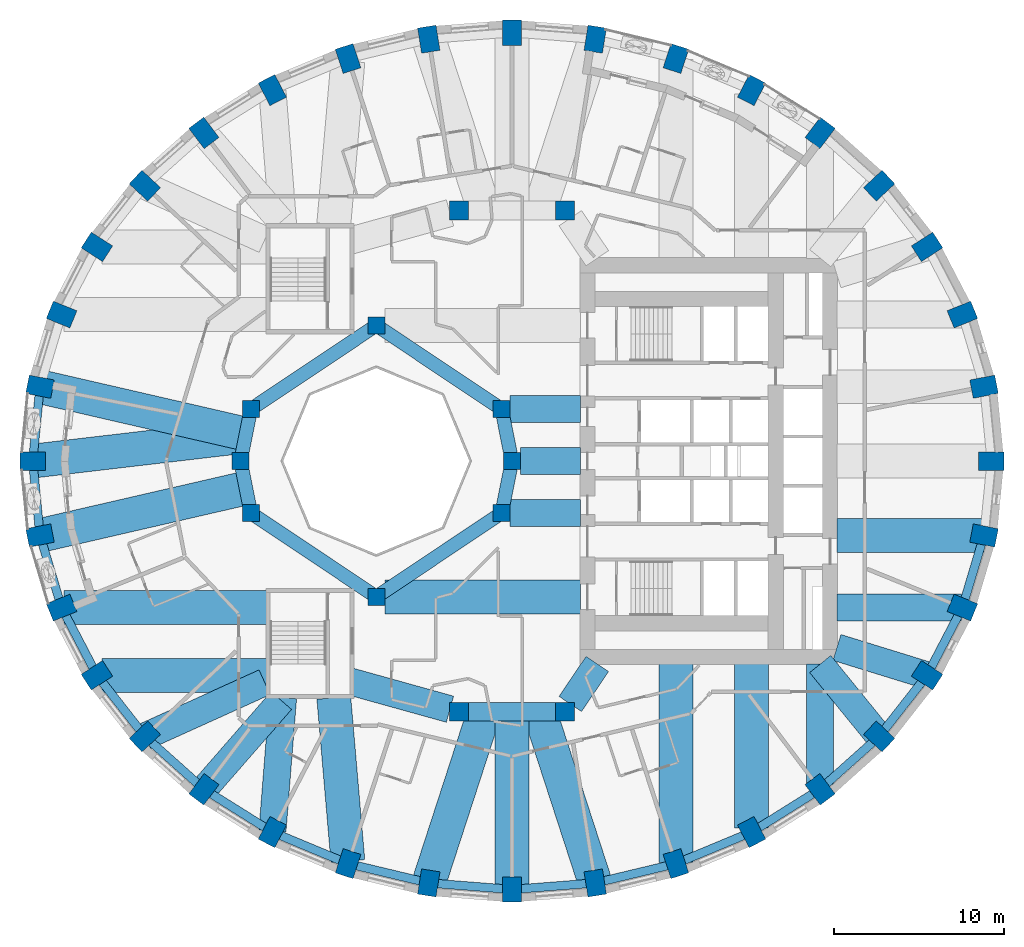
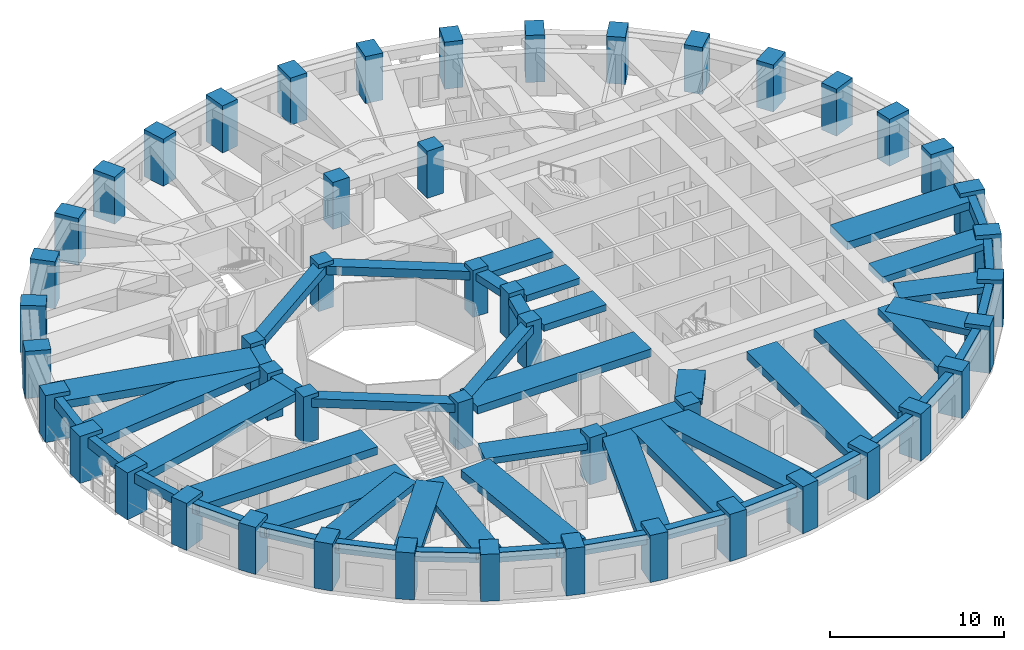
# One storey, part 1 of 14: 52 beams, 48 columns.
"""IFC4 building model written with IfcOpenShell, lengths in metres."""

import ifcopenshell
import ifcopenshell.guid

model = None  # the IFC model being written
_history = None  # IfcOwnerHistory: only IFC2X3 demands one
_inside = {}  # id of a spatial element -> (the spatial element, [elements in it])
_under = {}  # id of a project, library or spatial element -> (it, [spatial elements below it])
_declared = {}  # id of a project -> (the project, [libraries it declares])
_typed = {}  # id of a type object -> (the type object, [elements of that type])
_made_of = {}  # id of a material, layer set ... -> (it, [elements and type objects made of it])


def new_model(schema):
    """Start an empty IFC model of exactly this schema.

    Asked for "IFC4X3", IfcOpenShell would pick the latest addendum, in which some entities
    have other attributes; the version numbers below select the first issue.
    IFC2X3 requires an IfcOwnerHistory on every rooted entity: one is made here for all.
    """
    global model, _history
    if schema == "IFC4X3":
        model = ifcopenshell.file(schema_version=(4, 3, 0, 0))
    else:
        model = ifcopenshell.file(schema=schema)
    _inside.clear()
    _under.clear()
    _declared.clear()
    _typed.clear()
    _made_of.clear()
    _history = None
    if model.schema == "IFC2X3":
        org = make("IfcOrganization", Name="unknown")
        user = make(
            "IfcPersonAndOrganization",
            ThePerson=make("IfcPerson", FamilyName="unknown"),
            TheOrganization=org,
        )
        app = make(
            "IfcApplication",
            ApplicationDeveloper=org,
            Version="unknown",
            ApplicationFullName="unknown",
            ApplicationIdentifier="unknown",
        )
        _history = make(
            "IfcOwnerHistory",
            OwningUser=user,
            OwningApplication=app,
            ChangeAction="ADDED",
            CreationDate=0,
        )
    return model


def make(cls, **values):
    """One entity of the class cls with the attributes given. An attribute that is None is left unset."""
    return model.create_entity(
        cls, **{name: value for name, value in values.items() if value is not None}
    )


def rooted(cls, **values):
    """An entity with a GlobalId (a new one), such as an element, a storey or a relation."""
    return make(cls, GlobalId=ifcopenshell.guid.new(), OwnerHistory=_history, **values)


def si_unit(unit_type, name, prefix=None):
    """IfcSIUnit, for example si_unit("LENGTHUNIT", "METRE", prefix="MILLI")."""
    return make("IfcSIUnit", UnitType=unit_type, Prefix=prefix, Name=name)


def assignment(units):
    """IfcUnitAssignment: the units of a project."""
    return None if units is None else make("IfcUnitAssignment", Units=units)


def point(xyz):
    """IfcCartesianPoint."""
    return None if xyz is None else make("IfcCartesianPoint", Coordinates=xyz)


def direction(xyz):
    """IfcDirection."""
    return None if xyz is None else make("IfcDirection", DirectionRatios=xyz)


def frame(location, z_axis=None, x_axis=None):
    """IfcAxis2Placement3D, a coordinate frame: its origin and axes. An axis left out is left unset."""
    return make(
        "IfcAxis2Placement3D",
        Location=point(location),
        Axis=direction(z_axis),
        RefDirection=direction(x_axis),
    )


def frame_2d(location, x_axis=None):
    """IfcAxis2Placement2D, a coordinate frame in the plane: its origin and x axis."""
    return make(
        "IfcAxis2Placement2D", Location=point(location), RefDirection=direction(x_axis)
    )


def origin():
    """The frame at (0, 0, 0) with its axes left unset."""
    return frame((0.0, 0.0, 0.0))


def origin_2d():
    """The frame at (0, 0) in the plane with its x axis left unset."""
    return frame_2d((0.0, 0.0))


def place(relative_to, where):
    """IfcLocalPlacement: puts the frame where relative to a parent placement (None: the world)."""
    return make(
        "IfcLocalPlacement", PlacementRelTo=relative_to, RelativePlacement=where
    )


def context(
    kind, dimensions, precision=None, world=None, true_north=None, identifier=None
):
    """IfcGeometricRepresentationContext, for example the 3D "Model" context."""
    return make(
        "IfcGeometricRepresentationContext",
        ContextIdentifier=identifier,
        ContextType=kind,
        CoordinateSpaceDimension=dimensions,
        Precision=precision,
        WorldCoordinateSystem=world,
        TrueNorth=true_north,
    )


def subcontext(parent, identifier, kind, view, scale=None):
    """IfcGeometricRepresentationSubContext, for example "Body" below "Model"."""
    return make(
        "IfcGeometricRepresentationSubContext",
        ContextIdentifier=identifier,
        ContextType=kind,
        ParentContext=parent,
        TargetScale=scale,
        TargetView=view,
    )


def project(units=None, contexts=None):
    """IfcProject with its units and contexts."""
    return rooted(
        "IfcProject",
        Name="project",
        RepresentationContexts=contexts,
        UnitsInContext=assignment(units),
    )


def spatial(cls, under=None, at=None, **own):
    """A site, building, storey or space (cls), placed at a placement, below another one or the project."""
    s = rooted(cls, ObjectPlacement=at, **own)
    if under is not None:
        _under.setdefault(under.id(), (under, []))[1].append(s)
    return s


def profile(cls, at=None, kind="AREA", **sizes):
    """A parametric profile (cls). Its sizes go by their IFC names, for example OverallWidth=200.0."""
    return make(cls, ProfileType=kind, Position=at, **sizes)


def rectangle(**sizes):
    """IfcRectangleProfileDef."""
    return profile("IfcRectangleProfileDef", **sizes)


def extrude(swept, where, along, depth):
    """IfcExtrudedAreaSolid: the profile swept, set in the frame where, extruded along a direction by depth."""
    return make(
        "IfcExtrudedAreaSolid",
        SweptArea=swept,
        Position=where,
        ExtrudedDirection=direction(along),
        Depth=depth,
    )


def shape(context_of_items, identifier, shape_type, items):
    """IfcShapeRepresentation: the items that make up one representation, for example the "Body"."""
    return make(
        "IfcShapeRepresentation",
        ContextOfItems=context_of_items,
        RepresentationIdentifier=identifier,
        RepresentationType=shape_type,
        Items=items,
    )


def material(Name=None, Category=None):
    """IfcMaterial."""
    return make("IfcMaterial", Name=Name, Category=Category)


def material_profile(
    of_material, cross_section, Name=None, Category=None, Priority=None
):
    """IfcMaterialProfile: a cross section and its material."""
    return make(
        "IfcMaterialProfile",
        Name=Name,
        Material=of_material,
        Profile=cross_section,
        Priority=Priority,
        Category=Category,
    )


def profile_set(profiles, Name=None, composite=None):
    """IfcMaterialProfileSet."""
    return make(
        "IfcMaterialProfileSet",
        Name=Name,
        MaterialProfiles=profiles,
        CompositeProfile=composite,
    )


def made_of(thing, what):
    """Note that an element or type object is made of a material, layer set ...; save() writes the relation."""
    if what is not None:
        _made_of.setdefault(what.id(), (what, []))[1].append(thing)
    return thing


def type_object(cls, material=None, **own):
    """A type object (cls), such as IfcWallType, which elements share."""
    return made_of(rooted(cls, **own), material)


def element(
    cls,
    number,
    at=None,
    inside=None,
    cuts=None,
    type_object=None,
    material=None,
    context=None,
    identifier="Body",
    shape_type=None,
    held_by="IfcProductDefinitionShape",
    body=None,
    shapes=None,
    **own,
):
    """One element of the class cls, such as IfcWall. Its Tag is "e" and its number.

    at: its placement. inside: the storey or other place that contains it. cuts: it is an
    opening in that element (IfcRelVoidsElement). A single representation is given by context,
    identifier, shape_type and body (its items); several are given by shapes. held_by: the class
    of the entity that holds the representations. save() writes the other relations.
    """
    e = rooted(cls, Tag="e%d" % number, ObjectPlacement=at, **own)
    if body is not None:
        shapes = [shape(context, identifier, shape_type, body)]
    if shapes is not None:
        e.Representation = make(held_by, Representations=shapes)
    if inside is not None:
        _inside.setdefault(inside.id(), (inside, []))[1].append(e)
    if cuts is not None:
        rooted(
            "IfcRelVoidsElement", RelatingBuildingElement=cuts, RelatedOpeningElement=e
        )
    if type_object is not None:
        _typed.setdefault(type_object.id(), (type_object, []))[1].append(e)
    return made_of(e, material)


def aggregate(whole, parts):
    """IfcRelAggregates: a whole, such as a stair, and the parts it consists of."""
    return rooted("IfcRelAggregates", RelatingObject=whole, RelatedObjects=parts)


def save(model, path):
    """Write the relations noted so far, then the file.

    IfcRelAggregates (storeys below a building ...), IfcRelContainedInSpatialStructure (elements
    in a storey), IfcRelDefinesByType, IfcRelAssociatesMaterial and IfcRelDeclares: one each for
    every whole, place, type object, material and project.
    """
    for whole, parts in _under.values():
        aggregate(whole, parts)
    for where, things in _inside.values():
        rooted(
            "IfcRelContainedInSpatialStructure",
            RelatedElements=things,
            RelatingStructure=where,
        )
    for kind, things in _typed.values():
        rooted("IfcRelDefinesByType", RelatedObjects=things, RelatingType=kind)
    for what, things in _made_of.values():
        rooted("IfcRelAssociatesMaterial", RelatedObjects=things, RelatingMaterial=what)
    for by, libraries in _declared.values():
        rooted("IfcRelDeclares", RelatingContext=by, RelatedDefinitions=libraries)
    model.write(path)


model = new_model("IFC4")

# Units and contexts
model_context = context("Model", 3, precision=1e-05, world=origin(), true_north=direction((0.0, 1.0)))
body_context = subcontext(model_context, "Body", "Model", "MODEL_VIEW")
ifc_project = project(units=[si_unit("LENGTHUNIT", "METRE"), si_unit("AREAUNIT", "SQUARE_METRE"), si_unit("VOLUMEUNIT", "CUBIC_METRE"), si_unit("PLANEANGLEUNIT", "RADIAN"), si_unit("MASSUNIT", "GRAM", prefix="KILO")], contexts=[model_context])

# Site, building, storey
site_placement = place(None, origin())
site = spatial("IfcSite", under=ifc_project, at=site_placement, CompositionType="ELEMENT")
building_placement = place(site_placement, origin())
building = spatial("IfcBuilding", under=site, at=building_placement, Name="Taillehof Tower", CompositionType="ELEMENT")
storey_placement = place(building_placement, frame((0.0, 0.0, 28.300048828125)))
storey = spatial("IfcBuildingStorey", under=building, at=storey_placement, Name="L06", CompositionType="ELEMENT", Elevation=28.300048828125)

# Columns
ifc_material_1 = material(Name="Concrete C50/60", Category="concrete")
ifc_material_profile_1 = material_profile(ifc_material_1, rectangle(XDim=1.0, YDim=1.0, at=origin_2d()), Name="RC 1000x1000")
ifc_profile_set_1 = profile_set([ifc_material_profile_1], Name="Concrete C50/60")
column_type_1 = type_object("IfcColumnType", Name="Atrium ring column C50/60 1000x1000", PredefinedType="COLUMN", material=ifc_profile_set_1)
for number, where, z_axis, x_axis, name in (
    (1, (0.0, 0.0, 0.0), (0.0, 0.0, 1.0), (1.0, 0.0, 0.0), "Column AC01"),
    (2, (-8.0, 8.0, 0.0), (0.0, 0.0, 1.0), (1.0, 0.0, 0.0), "Column AC05"),
    (3, (-15.39111328125, 3.0615234375, 0.0), (0.0, 0.0, 1.0), (1.0, 0.0, 0.0), "Column AC08"),
    (4, (-16.0, 0.0, 0.0), (0.0, 0.0, 1.0), (1.0, 0.0, 0.0), "Column AC09"),
    (5, (-15.39111328125, -3.0615234375, 0.0), (0.0, 0.0, 1.0), (1.0, 0.0, 0.0), "Column AC10"),
    (6, (-8.0, -8.0, 0.0), (0.0, 0.0, 1.0), (1.0, 0.0, 0.0), "Column AC13"),
):
    element("IfcColumn", number, at=place(storey_placement, frame(where, z_axis=z_axis, x_axis=x_axis)), inside=storey, type_object=column_type_1, Name=name, PredefinedType="COLUMN", context=body_context, shape_type="SweptSolid", body=[
        extrude(rectangle(XDim=1.0, YDim=1.0, at=origin_2d()), origin(), (0.0, 0.0, 1.0), 3.300048828125),
    ])
ifc_material_2 = material(Name="Concrete C60/75", Category="concrete")
ifc_material_profile_2 = material_profile(ifc_material_2, rectangle(XDim=1.0, YDim=1.0, at=origin_2d()), Name="RC 1000x1000")
ifc_profile_set_2 = profile_set([ifc_material_profile_2], Name="Concrete C60/75")
column_type_2 = type_object("IfcColumnType", Name="Atrium ring column C60/75 1000x1000", PredefinedType="COLUMN", material=ifc_profile_set_2)
for number, where, z_axis, x_axis, name in (
    (7, (-0.60888671875, 3.0615234375, 0.0), (0.0, 0.0, 1.0), (1.0, 0.0, 0.0), "Column AC02"),
    (8, (-0.60888671875, -3.0615234375, 0.0), (0.0, 0.0, 1.0), (1.0, 0.0, 0.0), "Column AC16"),
):
    element("IfcColumn", number, at=place(storey_placement, frame(where, z_axis=z_axis, x_axis=x_axis)), inside=storey, type_object=column_type_2, Name=name, PredefinedType="COLUMN", context=body_context, shape_type="SweptSolid", body=[
        extrude(rectangle(XDim=1.0, YDim=1.0, at=origin_2d()), origin(), (0.0, 0.0, 1.0), 3.300048828125),
    ])
ifc_material_3 = material(Name="Concrete C60/75", Category="concrete")
ifc_material_profile_3 = material_profile(ifc_material_3, rectangle(XDim=1.10009765625, YDim=1.10009765625, at=origin_2d()), Name="RC 1100x1100")
ifc_profile_set_3 = profile_set([ifc_material_profile_3], Name="Concrete C60/75")
column_type_3 = type_object("IfcColumnType", Name="Mid-ring column C60/75 1100x1100", PredefinedType="COLUMN", material=ifc_profile_set_3)
for number, where, z_axis, x_axis, name in (
    (9, (3.125732421875, 14.772216796875, 0.0), (0.0, 0.0, 1.0), (1.0, 0.0, 0.0), "Column MC05"),
    (10, (3.125732421875, -14.772216796875, 0.0), (0.0, 0.0, 1.0), (1.0, 0.0, 0.0), "Column MC15"),
):
    element("IfcColumn", number, at=place(storey_placement, frame(where, z_axis=z_axis, x_axis=x_axis)), inside=storey, type_object=column_type_3, Name=name, PredefinedType="COLUMN", context=body_context, shape_type="SweptSolid", body=[
        extrude(rectangle(XDim=1.10009765625, YDim=1.10009765625, at=origin_2d()), origin(), (0.0, 0.0, 1.0), 3.300048828125),
    ])
ifc_material_4 = material(Name="Concrete C80/95", Category="concrete")
ifc_material_profile_4 = material_profile(ifc_material_4, rectangle(XDim=1.10009765625, YDim=1.10009765625, at=origin_2d()), Name="RC 1100x1100")
ifc_profile_set_4 = profile_set([ifc_material_profile_4], Name="Concrete C80/95")
column_type_4 = type_object("IfcColumnType", Name="Mid-ring column C80/95 1100x1100", PredefinedType="COLUMN", material=ifc_profile_set_4)
for number, where, z_axis, x_axis, name in (
    (11, (-3.125732421875, 14.772216796875, 0.0), (0.0, 0.0, 1.0), (1.0, 0.0, 0.0), "Column MC06"),
    (12, (-3.125732421875, -14.772216796875, 0.0), (0.0, 0.0, 1.0), (1.0, 0.0, 0.0), "Column MC14"),
):
    element("IfcColumn", number, at=place(storey_placement, frame(where, z_axis=z_axis, x_axis=x_axis)), inside=storey, type_object=column_type_4, Name=name, PredefinedType="COLUMN", context=body_context, shape_type="SweptSolid", body=[
        extrude(rectangle(XDim=1.10009765625, YDim=1.10009765625, at=origin_2d()), origin(), (0.0, 0.0, 1.0), 3.300048828125),
    ])
ifc_material_5 = material(Name="Concrete C70/85", Category="concrete")
ifc_material_profile_5 = material_profile(ifc_material_5, rectangle(XDim=1.5, YDim=1.10009765625, at=origin_2d()), Name="RC 1500x1100")
ifc_profile_set_5 = profile_set([ifc_material_profile_5], Name="Concrete C70/85")
column_type_5 = type_object("IfcColumnType", Name="Ring column C70/85 1500x1100", PredefinedType="COLUMN", material=ifc_profile_set_5)
for number, where, z_axis, x_axis, name in (
    (13, (28.25, 0.0, 0.0), (0.0, 0.0, 1.0), (1.0, 0.0, 0.0), "Ring column RC01"),
    (14, (27.82080078125, 4.384521484375, 0.0), (0.0, 0.0, 1.0), (0.98120354895, 0.192975634545, 0.0), "Ring column RC02"),
    (15, (26.54638671875, 8.635986328125, 0.0), (0.0, 0.0, 1.0), (0.926558045297, 0.37615181602, 0.0), "Ring column RC03"),
    (16, (24.46533203125, 12.625, 0.0), (0.0, 0.0, 1.0), (0.840753565229, 0.541417992456, 0.0), "Ring column RC04"),
    (17, (21.640869140625, 16.23046875, 0.0), (0.0, 0.0, 1.0), (0.730113022917, 0.683326403535, 0.0), "Ring column RC05"),
    (18, (18.15869140625, 19.342529296875, 0.0), (0.0, 0.0, 1.0), (0.601173783055, 0.79911831575, 0.0), "Ring column RC06"),
    (19, (14.125, 21.8671875, 0.0), (0.0, 0.0, 1.0), (0.459691308511, 0.888078769524, 0.0), "Ring column RC07"),
    (20, (9.662109375, 23.727294921875, 0.0), (0.0, 0.0, 1.0), (0.310219183529, 0.950665060981, 0.0), "Ring column RC08"),
    (21, (4.905517578125, 24.866455078125, 0.0), (0.0, 0.0, 1.0), (0.15614709407, 0.987733812833, 0.0), "Ring column RC09"),
    (22, (0.0, 25.25, 0.0), (0.0, 0.0, 1.0), (0.0, 1.0, 0.0), "Ring column RC10"),
    (23, (-4.905517578125, 24.866455078125, 0.0), (0.0, 0.0, 1.0), (-0.15614709407, 0.987733812833, 0.0), "Ring column RC11"),
    (24, (-9.662109375, 23.727294921875, 0.0), (0.0, 0.0, 1.0), (-0.310219183529, 0.950665060981, 0.0), "Ring column RC12"),
    (25, (-14.125, 21.8671875, 0.0), (0.0, 0.0, 1.0), (-0.459691308511, 0.888078769524, 0.0), "Ring column RC13"),
    (26, (-18.15869140625, 19.342529296875, 0.0), (0.0, 0.0, 1.0), (-0.601173783055, 0.79911831575, 0.0), "Ring column RC14"),
    (27, (-21.640869140625, 16.23046875, 0.0), (0.0, 0.0, 1.0), (-0.730113022917, 0.683326403535, 0.0), "Ring column RC15"),
    (28, (-24.46533203125, 12.625, 0.0), (0.0, 0.0, 1.0), (-0.840753565229, 0.541417992456, 0.0), "Ring column RC16"),
    (29, (-26.54638671875, 8.635986328125, 0.0), (0.0, 0.0, 1.0), (-0.926558045297, 0.37615181602, 0.0), "Ring column RC17"),
    (30, (-27.82080078125, 4.384521484375, 0.0), (0.0, 0.0, 1.0), (-0.98120354895, 0.192975634545, 0.0), "Ring column RC18"),
    (31, (-28.25, 0.0, 0.0), (0.0, 0.0, 1.0), (-1.0, 0.0, 0.0), "Ring column RC19"),
    (32, (-27.82080078125, -4.384521484375, 0.0), (0.0, 0.0, 1.0), (-0.98120354895, -0.192975634545, 0.0), "Ring column RC20"),
    (33, (-26.54638671875, -8.635986328125, 0.0), (0.0, 0.0, 1.0), (-0.926558045297, -0.37615181602, 0.0), "Ring column RC21"),
    (34, (-24.46533203125, -12.625, 0.0), (0.0, 0.0, 1.0), (-0.840753565229, -0.541417992456, 0.0), "Ring column RC22"),
    (35, (-21.640869140625, -16.23046875, 0.0), (0.0, 0.0, 1.0), (-0.730113022917, -0.683326403535, 0.0), "Ring column RC23"),
    (36, (-18.15869140625, -19.342529296875, 0.0), (0.0, 0.0, 1.0), (-0.601173783055, -0.79911831575, 0.0), "Ring column RC24"),
    (37, (-14.125, -21.8671875, 0.0), (0.0, 0.0, 1.0), (-0.459691308511, -0.888078769524, 0.0), "Ring column RC25"),
    (38, (-9.662109375, -23.727294921875, 0.0), (0.0, 0.0, 1.0), (-0.310219183529, -0.950665060981, 0.0), "Ring column RC26"),
    (39, (-4.905517578125, -24.866455078125, 0.0), (0.0, 0.0, 1.0), (-0.15614709407, -0.987733812833, 0.0), "Ring column RC27"),
    (40, (0.0, -25.25, 0.0), (0.0, 0.0, 1.0), (0.0, -1.0, 0.0), "Ring column RC28"),
    (41, (4.905517578125, -24.866455078125, 0.0), (0.0, 0.0, 1.0), (0.15614709407, -0.987733812833, 0.0), "Ring column RC29"),
    (42, (9.662109375, -23.727294921875, 0.0), (0.0, 0.0, 1.0), (0.310219183529, -0.950665060981, 0.0), "Ring column RC30"),
    (43, (14.125, -21.8671875, 0.0), (0.0, 0.0, 1.0), (0.459691308511, -0.888078769524, 0.0), "Ring column RC31"),
    (44, (18.15869140625, -19.342529296875, 0.0), (0.0, 0.0, 1.0), (0.601173783055, -0.79911831575, 0.0), "Ring column RC32"),
    (45, (21.640869140625, -16.23046875, 0.0), (0.0, 0.0, 1.0), (0.730113022917, -0.683326403535, 0.0), "Ring column RC33"),
    (46, (24.46533203125, -12.625, 0.0), (0.0, 0.0, 1.0), (0.840753565229, -0.541417992456, 0.0), "Ring column RC34"),
    (47, (26.54638671875, -8.635986328125, 0.0), (0.0, 0.0, 1.0), (0.926558045297, -0.37615181602, 0.0), "Ring column RC35"),
    (48, (27.82080078125, -4.384521484375, 0.0), (0.0, 0.0, 1.0), (0.98120354895, -0.192975634545, 0.0), "Ring column RC36"),
):
    element("IfcColumn", number, at=place(storey_placement, frame(where, z_axis=z_axis, x_axis=x_axis)), inside=storey, type_object=column_type_5, Name=name, PredefinedType="COLUMN", context=body_context, shape_type="SweptSolid", body=[
        extrude(rectangle(XDim=1.5, YDim=1.10009765625, at=origin_2d()), origin(), (0.0, 0.0, 1.0), 3.300048828125),
    ])

# Beams
ifc_material_6 = material(Name="Concrete C50/60", Category="concrete")
ifc_material_profile_6 = material_profile(ifc_material_6, rectangle(XDim=0.800048828125, YDim=0.5, at=origin_2d()), Name="RC 800x500")
ifc_profile_set_6 = profile_set([ifc_material_profile_6], Name="Concrete C50/60")
beam_type_1 = type_object("IfcBeamType", Name="Atrium ring beam C50/60 800x500", PredefinedType="BEAM", material=ifc_profile_set_6)
for number, where, z_axis, x_axis, name in (
    (49, (0.0, 0.0, 2.77001953125), (-0.195063155143, 0.980790683839, 0.0), (-0.980790683839, -0.195063155143, 0.0), "Atrium ring beam AB01"),
    (50, (-15.39111328125, 3.0615234375, 2.77001953125), (-0.195063155143, -0.980790683839, 0.0), (0.980790683839, -0.195063155143, 0.0), "Atrium ring beam AB04"),
    (51, (-16.0, 0.0, 2.77001953125), (0.195063155143, -0.980790683839, 0.0), (0.980790683839, 0.195063155143, 0.0), "Atrium ring beam AB05"),
    (52, (-0.60888671875, -3.0615234375, 2.77001953125), (0.195063155143, 0.980790683839, 0.0), (-0.980790683839, 0.195063155143, 0.0), "Atrium ring beam AB08"),
):
    element("IfcBeam", number, at=place(storey_placement, frame(where, z_axis=z_axis, x_axis=x_axis)), inside=storey, type_object=beam_type_1, Name=name, PredefinedType="BEAM", context=body_context, shape_type="SweptSolid", body=[
        extrude(rectangle(XDim=0.800048828125, YDim=0.5, at=origin_2d()), origin(), (0.0, 0.0, 1.0), 3.12158203125),
    ])
ifc_material_7 = material(Name="Concrete C50/60", Category="concrete")
ifc_material_profile_7 = material_profile(ifc_material_7, rectangle(XDim=0.800048828125, YDim=0.60009765625, at=origin_2d()), Name="RC 800x600")
ifc_profile_set_7 = profile_set([ifc_material_profile_7], Name="Concrete C50/60")
beam_type_2 = type_object("IfcBeamType", Name="Atrium ring beam C50/60 800x600", PredefinedType="BEAM", material=ifc_profile_set_7)
for number, where, z_axis, x_axis, name in (
    (53, (-0.60888671875, 3.0615234375, 2.719970703125), (-0.831475195687, 0.555561876804, 0.0), (-0.555561876804, -0.831475195687, 0.0), "Atrium ring beam AB02"),
    (54, (-8.0, 8.0, 2.719970703125), (-0.831475195687, -0.555561876804, 0.0), (0.555561876804, -0.831475195687, 0.0), "Atrium ring beam AB03"),
    (55, (-15.39111328125, -3.0615234375, 2.719970703125), (0.831475195687, -0.555561876804, 0.0), (0.555561876804, 0.831475195687, 0.0), "Atrium ring beam AB06"),
    (56, (-8.0, -8.0, 2.719970703125), (0.831475195687, 0.555561876804, 0.0), (-0.555561876804, 0.831475195687, 0.0), "Atrium ring beam AB07"),
):
    element("IfcBeam", number, at=place(storey_placement, frame(where, z_axis=z_axis, x_axis=x_axis)), inside=storey, type_object=beam_type_2, Name=name, PredefinedType="BEAM", context=body_context, shape_type="SweptSolid", body=[
        extrude(rectangle(XDim=0.800048828125, YDim=0.60009765625, at=origin_2d()), origin(), (0.0, 0.0, 1.0), 8.88916015625),
    ])
ifc_material_8 = material(Name="Concrete C50/60", Category="concrete")
ifc_material_profile_8 = material_profile(ifc_material_8, rectangle(XDim=1.10009765625, YDim=0.60009765625, at=origin_2d()), Name="RC 1100x600")
ifc_profile_set_8 = profile_set([ifc_material_profile_8], Name="Concrete C50/60")
beam_type_3 = type_object("IfcBeamType", Name="Mid-ring beam C50/60 1100x600", PredefinedType="BEAM", material=ifc_profile_set_8)
beam_1_placement = place(storey_placement, frame((-3.125732421875, -14.772216796875, 2.719970703125), z_axis=(1.0, 0.0, 0.0), x_axis=(0.0, 1.0, 0.0)))
element("IfcBeam", 57, at=beam_1_placement, inside=storey, type_object=beam_type_3, Name="Mid-ring beam MB02", PredefinedType="BEAM", context=body_context, shape_type="SweptSolid", body=[
    extrude(rectangle(XDim=1.10009765625, YDim=0.60009765625, at=origin_2d()), origin(), (0.0, 0.0, 1.0), 6.25146484375),
])
ifc_material_9 = material(Name="Concrete C50/60", Category="concrete")
ifc_material_profile_9 = material_profile(ifc_material_9, rectangle(XDim=1.60009765625, YDim=0.449951171875, at=origin_2d()), Name="RC 1600x450")
ifc_profile_set_9 = profile_set([ifc_material_profile_9], Name="Concrete C50/60")
beam_type_4 = type_object("IfcBeamType", Name="Radial band beam C50/60 1600x450", PredefinedType="BEAM", material=ifc_profile_set_9)
beam_2_placement = place(storey_placement, frame((-21.632568359375, -16.226806640625, 2.794921875), z_axis=(0.911100590789, 0.412184077161, 0.0), x_axis=(-0.412184077161, 0.911100590789, 0.0)))
element("IfcBeam", 58, at=beam_2_placement, inside=storey, type_object=beam_type_4, Name="Radial band beam RB23", PredefinedType="BEAM", context=body_context, shape_type="SweptSolid", body=[
    extrude(rectangle(XDim=1.60009765625, YDim=0.449951171875, at=origin_2d()), origin(), (0.0, 0.0, 1.0), 7.740966796875),
])
beam_3_placement = place(storey_placement, frame((-18.15869140625, -19.342529296875, 2.794921875), z_axis=(0.65721824087, 0.753700327628, 0.0), x_axis=(-0.753700327628, 0.65721824087, 0.0)))
element("IfcBeam", 59, at=beam_3_placement, inside=storey, type_object=beam_type_4, Name="Radial band beam RB24", PredefinedType="BEAM", context=body_context, shape_type="SweptSolid", body=[
    extrude(rectangle(XDim=1.60009765625, YDim=0.449951171875, at=origin_2d()), origin(), (0.0, 0.0, 1.0), 6.9384765625),
])
beam_4_placement = place(storey_placement, frame((-14.119873046875, -21.802978515625, 2.794921875), z_axis=(0.079184740988, 0.996859958467, 0.0), x_axis=(-0.996859958467, 0.079184740988, 0.0)))
element("IfcBeam", 60, at=beam_4_placement, inside=storey, type_object=beam_type_4, Name="Radial band beam RB25", PredefinedType="BEAM", context=body_context, shape_type="SweptSolid", body=[
    extrude(rectangle(XDim=1.60009765625, YDim=0.449951171875, at=origin_2d()), origin(), (0.0, 0.0, 1.0), 7.87744140625),
])
beam_5_placement = place(storey_placement, frame((18.15869140625, -19.05517578125, 2.794921875), z_axis=(0.0, 1.0, 0.0), x_axis=(-1.0, 0.0, 0.0)))
element("IfcBeam", 61, at=beam_5_placement, inside=storey, type_object=beam_type_4, Name="Radial band beam RB32", PredefinedType="BEAM", context=body_context, shape_type="SweptSolid", body=[
    extrude(rectangle(XDim=1.60009765625, YDim=0.449951171875, at=origin_2d()), origin(), (0.0, 0.0, 1.0), 7.105224609375),
])
beam_6_placement = place(storey_placement, frame((21.640869140625, -16.23046875, 2.794921875), z_axis=(-0.630988373846, 0.775792286679, 0.0), x_axis=(-0.775792286679, -0.630988373846, 0.0)))
element("IfcBeam", 62, at=beam_6_placement, inside=storey, type_object=beam_type_4, Name="Radial band beam RB33", PredefinedType="BEAM", context=body_context, shape_type="SweptSolid", body=[
    extrude(rectangle(XDim=1.60009765625, YDim=0.449951171875, at=origin_2d()), origin(), (0.0, 0.0, 1.0), 5.503173828125),
])
beam_7_placement = place(storey_placement, frame((24.46533203125, -12.625, 2.794921875), z_axis=(-0.955535654338, 0.294875589511, 0.0), x_axis=(-0.294875589511, -0.955535654338, 0.0)))
element("IfcBeam", 63, at=beam_7_placement, inside=storey, type_object=beam_type_4, Name="Radial band beam RB34", PredefinedType="BEAM", context=body_context, shape_type="SweptSolid", body=[
    extrude(rectangle(XDim=1.60009765625, YDim=0.449951171875, at=origin_2d()), origin(), (0.0, 0.0, 1.0), 5.560546875),
])
beam_8_placement = place(storey_placement, frame((26.490478515625, -8.635986328125, 2.794921875), z_axis=(-1.0, 0.0, 0.0), x_axis=(0.0, -1.0, 0.0)))
element("IfcBeam", 64, at=beam_8_placement, inside=storey, type_object=beam_type_4, Name="Radial band beam RB35", PredefinedType="BEAM", context=body_context, shape_type="SweptSolid", body=[
    extrude(rectangle(XDim=1.60009765625, YDim=0.449951171875, at=origin_2d()), origin(), (0.0, 0.0, 1.0), 7.340576171875),
])
beam_9_placement = place(storey_placement, frame((0.5, 0.0, 2.794921875), z_axis=(1.0, 0.0, 0.0), x_axis=(0.0, 1.0, 0.0)))
element("IfcBeam", 65, at=beam_9_placement, inside=storey, type_object=beam_type_4, Name="Inner band beam IB101", PredefinedType="BEAM", context=body_context, shape_type="SweptSolid", body=[
    extrude(rectangle(XDim=1.60009765625, YDim=0.449951171875, at=origin_2d()), origin(), (0.0, 0.0, 1.0), 3.550048828125),
])
for number, where, z_axis, x_axis, name in (
    (66, (-0.10888671875, 3.0615234375, 2.794921875), (1.0, 0.0, 0.0), (0.0, 1.0, 0.0), "Inner band beam IB102"),
    (67, (-0.10888671875, -3.0615234375, 2.794921875), (1.0, 0.0, 0.0), (0.0, 1.0, 0.0), "Inner band beam IB116"),
):
    element("IfcBeam", number, at=place(storey_placement, frame(where, z_axis=z_axis, x_axis=x_axis)), inside=storey, type_object=beam_type_4, Name=name, PredefinedType="BEAM", context=body_context, shape_type="SweptSolid", body=[
        extrude(rectangle(XDim=1.60009765625, YDim=0.449951171875, at=origin_2d()), origin(), (0.0, 0.0, 1.0), 4.158935546875),
    ])
beam_10_placement = place(storey_placement, frame((-3.655517578125, -14.624755859375, 2.794921875), z_axis=(-0.963459369536, 0.267854518821, 0.0), x_axis=(-0.267854518821, -0.963459369536, 0.0)))
element("IfcBeam", 68, at=beam_10_placement, inside=storey, type_object=beam_type_4, Name="Inner band beam IB214", PredefinedType="BEAM", context=body_context, shape_type="SweptSolid", body=[
    extrude(rectangle(XDim=1.60009765625, YDim=0.449951171875, at=origin_2d()), origin(), (0.0, 0.0, 1.0), 6.096923828125),
])
beam_11_placement = place(storey_placement, frame((3.433837890625, -14.31640625, 2.794921875), z_axis=(0.560112043398, 0.828416862962, 0.0), x_axis=(-0.828416862962, 0.560112043398, 0.0)))
element("IfcBeam", 69, at=beam_11_placement, inside=storey, type_object=beam_type_4, Name="Inner band beam IB215", PredefinedType="BEAM", context=body_context, shape_type="SweptSolid", body=[
    extrude(rectangle(XDim=1.60009765625, YDim=0.449951171875, at=origin_2d()), origin(), (0.0, 0.0, 1.0), 2.84619140625),
])
ifc_material_10 = material(Name="Concrete C50/60", Category="concrete")
ifc_material_profile_10 = material_profile(ifc_material_10, rectangle(XDim=2.0, YDim=0.550048828125, at=origin_2d()), Name="RC 2000x550")
ifc_profile_set_10 = profile_set([ifc_material_profile_10], Name="Concrete C50/60")
beam_type_5 = type_object("IfcBeamType", Name="Radial band beam C50/60 2000x550", PredefinedType="BEAM", material=ifc_profile_set_10)
beam_12_placement = place(storey_placement, frame((-27.82080078125, 4.384521484375, 2.744873046875), z_axis=(0.974509005862, -0.2243483842, 0.0), x_axis=(0.2243483842, 0.974509005862, 0.0)))
element("IfcBeam", 70, at=beam_12_placement, inside=storey, type_object=beam_type_5, Name="Radial band beam RB18", PredefinedType="BEAM", context=body_context, shape_type="SweptSolid", body=[
    extrude(rectangle(XDim=2.0, YDim=0.550048828125, at=origin_2d()), origin(), (0.0, 0.0, 1.0), 12.45458984375),
])
beam_13_placement = place(storey_placement, frame((-28.25, 0.0, 2.744873046875), z_axis=(0.993191188018, 0.11649576835, 0.0), x_axis=(-0.11649576835, 0.993191188018, 0.0)))
element("IfcBeam", 71, at=beam_13_placement, inside=storey, type_object=beam_type_5, Name="Radial band beam RB19", PredefinedType="BEAM", context=body_context, shape_type="SweptSolid", body=[
    extrude(rectangle(XDim=2.0, YDim=0.550048828125, at=origin_2d()), origin(), (0.0, 0.0, 1.0), 12.628662109375),
])
beam_14_placement = place(storey_placement, frame((-27.82080078125, -4.384521484375, 2.744873046875), z_axis=(0.974509005862, 0.2243483842, 0.0), x_axis=(-0.2243483842, 0.974509005862, 0.0)))
element("IfcBeam", 72, at=beam_14_placement, inside=storey, type_object=beam_type_5, Name="Radial band beam RB20", PredefinedType="BEAM", context=body_context, shape_type="SweptSolid", body=[
    extrude(rectangle(XDim=2.0, YDim=0.550048828125, at=origin_2d()), origin(), (0.0, 0.0, 1.0), 12.45458984375),
])
beam_15_placement = place(storey_placement, frame((-26.408935546875, -8.635986328125, 2.744873046875), z_axis=(1.0, 0.0, 0.0), x_axis=(0.0, 1.0, 0.0)))
element("IfcBeam", 73, at=beam_15_placement, inside=storey, type_object=beam_type_5, Name="Radial band beam RB21", PredefinedType="BEAM", context=body_context, shape_type="SweptSolid", body=[
    extrude(rectangle(XDim=2.0, YDim=0.550048828125, at=origin_2d()), origin(), (0.0, 0.0, 1.0), 11.958984375),
])
beam_16_placement = place(storey_placement, frame((-24.172607421875, -12.625, 2.744873046875), z_axis=(1.0, 0.0, 0.0), x_axis=(0.0, 1.0, 0.0)))
element("IfcBeam", 74, at=beam_16_placement, inside=storey, type_object=beam_type_5, Name="Radial band beam RB22", PredefinedType="BEAM", context=body_context, shape_type="SweptSolid", body=[
    extrude(rectangle(XDim=2.0, YDim=0.550048828125, at=origin_2d()), origin(), (0.0, 0.0, 1.0), 9.72265625),
])
beam_17_placement = place(storey_placement, frame((-9.675048828125, -23.575927734375, 2.744873046875), z_axis=(-0.085841202752, 0.996308831593, 0.0), x_axis=(-0.996308831593, -0.085841202752, 0.0)))
element("IfcBeam", 75, at=beam_17_placement, inside=storey, type_object=beam_type_5, Name="Radial band beam RB26", PredefinedType="BEAM", context=body_context, shape_type="SweptSolid", body=[
    extrude(rectangle(XDim=2.0, YDim=0.550048828125, at=origin_2d()), origin(), (0.0, 0.0, 1.0), 9.661376953125),
])
beam_18_placement = place(storey_placement, frame((-4.905517578125, -24.866455078125, 2.744873046875), z_axis=(0.309014294595, 0.951057393503, 0.0), x_axis=(-0.951057393503, 0.309014294595, 0.0)))
element("IfcBeam", 76, at=beam_18_placement, inside=storey, type_object=beam_type_5, Name="Radial band beam RB27", PredefinedType="BEAM", context=body_context, shape_type="SweptSolid", body=[
    extrude(rectangle(XDim=2.0, YDim=0.550048828125, at=origin_2d()), origin(), (0.0, 0.0, 1.0), 10.61376953125),
])
beam_19_placement = place(storey_placement, frame((0.0, -25.25, 2.744873046875), z_axis=(0.0, 1.0, 0.0), x_axis=(-1.0, 0.0, 0.0)))
element("IfcBeam", 77, at=beam_19_placement, inside=storey, type_object=beam_type_5, Name="Radial band beam RB28", PredefinedType="BEAM", context=body_context, shape_type="SweptSolid", body=[
    extrude(rectangle(XDim=2.0, YDim=0.550048828125, at=origin_2d()), origin(), (0.0, 0.0, 1.0), 10.477783203125),
])
beam_20_placement = place(storey_placement, frame((4.905517578125, -24.866455078125, 2.744873046875), z_axis=(-0.309014294595, 0.951057393503, 0.0), x_axis=(-0.951057393503, -0.309014294595, 0.0)))
element("IfcBeam", 78, at=beam_20_placement, inside=storey, type_object=beam_type_5, Name="Radial band beam RB29", PredefinedType="BEAM", context=body_context, shape_type="SweptSolid", body=[
    extrude(rectangle(XDim=2.0, YDim=0.550048828125, at=origin_2d()), origin(), (0.0, 0.0, 1.0), 10.61376953125),
])
beam_21_placement = place(storey_placement, frame((9.662109375, -23.664794921875, 2.744873046875), z_axis=(0.0, 1.0, 0.0), x_axis=(-1.0, 0.0, 0.0)))
element("IfcBeam", 79, at=beam_21_placement, inside=storey, type_object=beam_type_5, Name="Radial band beam RB30", PredefinedType="BEAM", context=body_context, shape_type="SweptSolid", body=[
    extrude(rectangle(XDim=2.0, YDim=0.550048828125, at=origin_2d()), origin(), (0.0, 0.0, 1.0), 11.71484375),
])
beam_22_placement = place(storey_placement, frame((14.125, -21.63232421875, 2.744873046875), z_axis=(0.0, 1.0, 0.0), x_axis=(-1.0, 0.0, 0.0)))
element("IfcBeam", 80, at=beam_22_placement, inside=storey, type_object=beam_type_5, Name="Radial band beam RB31", PredefinedType="BEAM", context=body_context, shape_type="SweptSolid", body=[
    extrude(rectangle(XDim=2.0, YDim=0.550048828125, at=origin_2d()), origin(), (0.0, 0.0, 1.0), 9.682373046875),
])
beam_23_placement = place(storey_placement, frame((27.82080078125, -4.384521484375, 2.744873046875), z_axis=(-1.0, 0.0, 0.0), x_axis=(0.0, -1.0, 0.0)))
element("IfcBeam", 81, at=beam_23_placement, inside=storey, type_object=beam_type_5, Name="Radial band beam RB36", PredefinedType="BEAM", context=body_context, shape_type="SweptSolid", body=[
    extrude(rectangle(XDim=2.0, YDim=0.550048828125, at=origin_2d()), origin(), (0.0, 0.0, 1.0), 8.6708984375),
])
beam_24_placement = place(storey_placement, frame((-7.5, -8.0, 2.744873046875), z_axis=(1.0, 0.0, 0.0), x_axis=(0.0, 1.0, 0.0)))
element("IfcBeam", 82, at=beam_24_placement, inside=storey, type_object=beam_type_5, Name="Inner band beam IB113", PredefinedType="BEAM", context=body_context, shape_type="SweptSolid", body=[
    extrude(rectangle(XDim=2.0, YDim=0.550048828125, at=origin_2d()), origin(), (0.0, 0.0, 1.0), 11.550048828125),
])
ifc_material_11 = material(Name="Concrete C50/60", Category="concrete")
ifc_material_profile_11 = material_profile(ifc_material_11, rectangle(XDim=0.5, YDim=0.699951171875, at=origin_2d()), Name="RC 500x700")
ifc_profile_set_11 = profile_set([ifc_material_profile_11], Name="Concrete C50/60")
beam_type_6 = type_object("IfcBeamType", Name="Spandrel beam C50/60 500x700", PredefinedType="SPANDREL", material=ifc_profile_set_11)
for number, where, z_axis, x_axis, name in (
    (83, (-27.82080078125, 4.384521484375, 2.669921875), (-0.097423973567, -0.99524297002, 0.0), (0.99524297002, -0.097423973567, 0.0), "Spandrel beam SB18"),
    (84, (-28.25, 0.0, 2.669921875), (0.097423973567, -0.99524297002, 0.0), (0.99524297002, 0.097423973567, 0.0), "Spandrel beam SB19"),
):
    element("IfcBeam", number, at=place(storey_placement, frame(where, z_axis=z_axis, x_axis=x_axis)), inside=storey, type_object=beam_type_6, Name=name, PredefinedType="SPANDREL", context=body_context, shape_type="SweptSolid", body=[
        extrude(rectangle(XDim=0.5, YDim=0.699951171875, at=origin_2d()), origin(), (0.0, 0.0, 1.0), 4.405517578125),
    ])
beam_25_placement = place(storey_placement, frame((-27.82080078125, -4.384521484375, 2.669921875), z_axis=(0.287135925407, -0.957889847707, 0.0), x_axis=(0.957889847707, 0.287135925407, 0.0)))
element("IfcBeam", 85, at=beam_25_placement, inside=storey, type_object=beam_type_6, Name="Spandrel beam SB20", PredefinedType="SPANDREL", context=body_context, shape_type="SweptSolid", body=[
    extrude(rectangle(XDim=0.5, YDim=0.699951171875, at=origin_2d()), origin(), (0.0, 0.0, 1.0), 4.4384765625),
])
beam_26_placement = place(storey_placement, frame((-26.54638671875, -8.635986328125, 2.669921875), z_axis=(0.462536335232, -0.886600326297, 0.0), x_axis=(0.886600326297, 0.462536335232, 0.0)))
element("IfcBeam", 86, at=beam_26_placement, inside=storey, type_object=beam_type_6, Name="Spandrel beam SB21", PredefinedType="SPANDREL", context=body_context, shape_type="SweptSolid", body=[
    extrude(rectangle(XDim=0.5, YDim=0.699951171875, at=origin_2d()), origin(), (0.0, 0.0, 1.0), 4.499267578125),
])
beam_27_placement = place(storey_placement, frame((-24.46533203125, -12.625, 2.669921875), z_axis=(0.616686200373, -0.787209076593, 0.0), x_axis=(0.787209076593, 0.616686200373, 0.0)))
element("IfcBeam", 87, at=beam_27_placement, inside=storey, type_object=beam_type_6, Name="Spandrel beam SB22", PredefinedType="SPANDREL", context=body_context, shape_type="SweptSolid", body=[
    extrude(rectangle(XDim=0.5, YDim=0.699951171875, at=origin_2d()), origin(), (0.0, 0.0, 1.0), 4.580078125),
])
beam_28_placement = place(storey_placement, frame((-21.640869140625, -16.23046875, 2.669921875), z_axis=(0.745621283614, -0.666369943366, 0.0), x_axis=(0.666369943366, 0.745621283614, 0.0)))
element("IfcBeam", 88, at=beam_28_placement, inside=storey, type_object=beam_type_6, Name="Spandrel beam SB23", PredefinedType="SPANDREL", context=body_context, shape_type="SweptSolid", body=[
    extrude(rectangle(XDim=0.5, YDim=0.699951171875, at=origin_2d()), origin(), (0.0, 0.0, 1.0), 4.670166015625),
])
beam_29_placement = place(storey_placement, frame((-18.15869140625, -19.342529296875, 2.669921875), z_axis=(0.847658018883, -0.530543007703, 0.0), x_axis=(0.530543007703, 0.847658018883, 0.0)))
element("IfcBeam", 89, at=beam_29_placement, inside=storey, type_object=beam_type_6, Name="Spandrel beam SB24", PredefinedType="SPANDREL", context=body_context, shape_type="SweptSolid", body=[
    extrude(rectangle(XDim=0.5, YDim=0.699951171875, at=origin_2d()), origin(), (0.0, 0.0, 1.0), 4.758544921875),
])
beam_30_placement = place(storey_placement, frame((-14.125, -21.8671875, 2.669921875), z_axis=(0.923035088053, -0.384715773297, 0.0), x_axis=(0.384715773297, 0.923035088053, 0.0)))
element("IfcBeam", 90, at=beam_30_placement, inside=storey, type_object=beam_type_6, Name="Spandrel beam SB25", PredefinedType="SPANDREL", context=body_context, shape_type="SweptSolid", body=[
    extrude(rectangle(XDim=0.5, YDim=0.699951171875, at=origin_2d()), origin(), (0.0, 0.0, 1.0), 4.8349609375),
])
beam_31_placement = place(storey_placement, frame((-9.662109375, -23.727294921875, 2.669921875), z_axis=(0.9724995553, -0.232904733616, 0.0), x_axis=(0.232904733616, 0.9724995553, 0.0)))
element("IfcBeam", 91, at=beam_31_placement, inside=storey, type_object=beam_type_6, Name="Spandrel beam SB26", PredefinedType="SPANDREL", context=body_context, shape_type="SweptSolid", body=[
    extrude(rectangle(XDim=0.5, YDim=0.699951171875, at=origin_2d()), origin(), (0.0, 0.0, 1.0), 4.89111328125),
])
for number, where, z_axis, x_axis, name in (
    (92, (-4.905517578125, -24.866455078125, 2.669921875), (0.996957383661, -0.077948541767, 0.0), (0.077948541767, 0.996957383661, 0.0), "Spandrel beam SB27"),
    (93, (0.0, -25.25, 2.669921875), (0.996957383661, 0.077948541767, 0.0), (-0.077948541767, 0.996957383661, 0.0), "Spandrel beam SB28"),
):
    element("IfcBeam", number, at=place(storey_placement, frame(where, z_axis=z_axis, x_axis=x_axis)), inside=storey, type_object=beam_type_6, Name=name, PredefinedType="SPANDREL", context=body_context, shape_type="SweptSolid", body=[
        extrude(rectangle(XDim=0.5, YDim=0.699951171875, at=origin_2d()), origin(), (0.0, 0.0, 1.0), 4.92041015625),
    ])
beam_32_placement = place(storey_placement, frame((4.905517578125, -24.866455078125, 2.669921875), z_axis=(0.9724995553, 0.232904733616, 0.0), x_axis=(-0.232904733616, 0.9724995553, 0.0)))
element("IfcBeam", 94, at=beam_32_placement, inside=storey, type_object=beam_type_6, Name="Spandrel beam SB29", PredefinedType="SPANDREL", context=body_context, shape_type="SweptSolid", body=[
    extrude(rectangle(XDim=0.5, YDim=0.699951171875, at=origin_2d()), origin(), (0.0, 0.0, 1.0), 4.89111328125),
])
beam_33_placement = place(storey_placement, frame((9.662109375, -23.727294921875, 2.669921875), z_axis=(0.923035088053, 0.384715773297, 0.0), x_axis=(-0.384715773297, 0.923035088053, 0.0)))
element("IfcBeam", 95, at=beam_33_placement, inside=storey, type_object=beam_type_6, Name="Spandrel beam SB30", PredefinedType="SPANDREL", context=body_context, shape_type="SweptSolid", body=[
    extrude(rectangle(XDim=0.5, YDim=0.699951171875, at=origin_2d()), origin(), (0.0, 0.0, 1.0), 4.8349609375),
])
beam_34_placement = place(storey_placement, frame((14.125, -21.8671875, 2.669921875), z_axis=(0.847658018883, 0.530543007703, 0.0), x_axis=(-0.530543007703, 0.847658018883, 0.0)))
element("IfcBeam", 96, at=beam_34_placement, inside=storey, type_object=beam_type_6, Name="Spandrel beam SB31", PredefinedType="SPANDREL", context=body_context, shape_type="SweptSolid", body=[
    extrude(rectangle(XDim=0.5, YDim=0.699951171875, at=origin_2d()), origin(), (0.0, 0.0, 1.0), 4.758544921875),
])
beam_35_placement = place(storey_placement, frame((18.15869140625, -19.342529296875, 2.669921875), z_axis=(0.745621283614, 0.666369943366, 0.0), x_axis=(-0.666369943366, 0.745621283614, 0.0)))
element("IfcBeam", 97, at=beam_35_placement, inside=storey, type_object=beam_type_6, Name="Spandrel beam SB32", PredefinedType="SPANDREL", context=body_context, shape_type="SweptSolid", body=[
    extrude(rectangle(XDim=0.5, YDim=0.699951171875, at=origin_2d()), origin(), (0.0, 0.0, 1.0), 4.670166015625),
])
beam_36_placement = place(storey_placement, frame((21.640869140625, -16.23046875, 2.669921875), z_axis=(0.616686200373, 0.787209076593, 0.0), x_axis=(-0.787209076593, 0.616686200373, 0.0)))
element("IfcBeam", 98, at=beam_36_placement, inside=storey, type_object=beam_type_6, Name="Spandrel beam SB33", PredefinedType="SPANDREL", context=body_context, shape_type="SweptSolid", body=[
    extrude(rectangle(XDim=0.5, YDim=0.699951171875, at=origin_2d()), origin(), (0.0, 0.0, 1.0), 4.580078125),
])
beam_37_placement = place(storey_placement, frame((24.46533203125, -12.625, 2.669921875), z_axis=(0.462536335232, 0.886600326297, 0.0), x_axis=(-0.886600326297, 0.462536335232, 0.0)))
element("IfcBeam", 99, at=beam_37_placement, inside=storey, type_object=beam_type_6, Name="Spandrel beam SB34", PredefinedType="SPANDREL", context=body_context, shape_type="SweptSolid", body=[
    extrude(rectangle(XDim=0.5, YDim=0.699951171875, at=origin_2d()), origin(), (0.0, 0.0, 1.0), 4.499267578125),
])
beam_38_placement = place(storey_placement, frame((26.54638671875, -8.635986328125, 2.669921875), z_axis=(0.287135925407, 0.957889847707, 0.0), x_axis=(-0.957889847707, 0.287135925407, 0.0)))
element("IfcBeam", 100, at=beam_38_placement, inside=storey, type_object=beam_type_6, Name="Spandrel beam SB35", PredefinedType="SPANDREL", context=body_context, shape_type="SweptSolid", body=[
    extrude(rectangle(XDim=0.5, YDim=0.699951171875, at=origin_2d()), origin(), (0.0, 0.0, 1.0), 4.4384765625),
])

save(model, "model.ifc")
